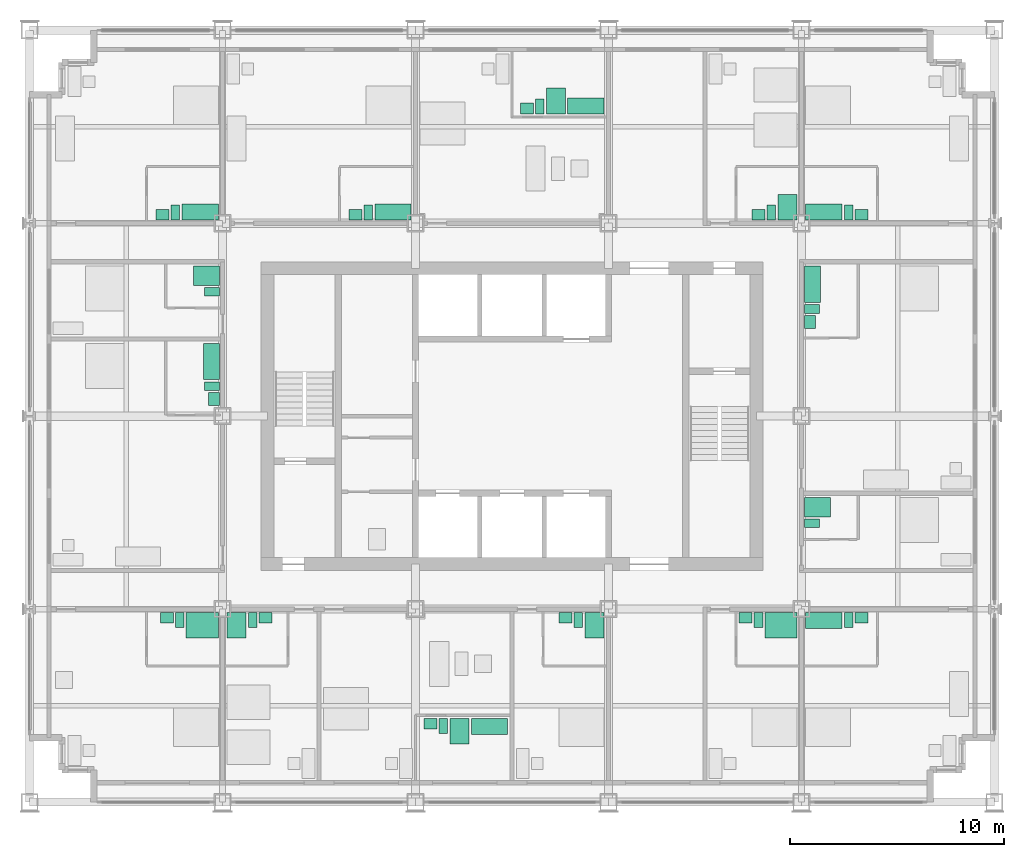
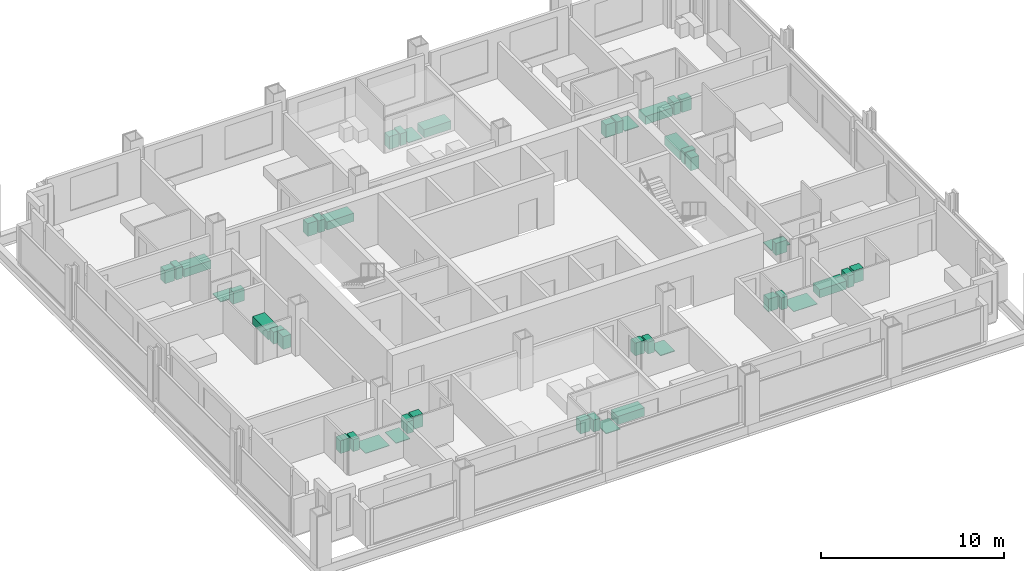
# One storey, part 15 of 16: 45 sanitary terminals.
"""IFC4 building model written with IfcOpenShell, lengths in metres."""

from ifc_helpers import new_model, si_unit, direction, frame, origin, origin_2d, place, context, subcontext, project, spatial, rectangle, extrude, element, save


model = new_model("IFC4")

# Units and contexts
model_context = context("Model", 3, precision=1e-05, world=origin(), true_north=direction((0.0, 1.0)))
body_context = subcontext(model_context, "Body", "Model", "MODEL_VIEW")
ifc_project = project(units=[si_unit("LENGTHUNIT", "METRE"), si_unit("AREAUNIT", "SQUARE_METRE"), si_unit("VOLUMEUNIT", "CUBIC_METRE"), si_unit("PLANEANGLEUNIT", "RADIAN"), si_unit("MASSUNIT", "GRAM", prefix="KILO")], contexts=[model_context])

# Site, building, storey
site_placement = place(None, origin())
site = spatial("IfcSite", under=ifc_project, at=site_placement, CompositionType="ELEMENT")
building_placement = place(site_placement, origin())
building = spatial("IfcBuilding", under=site, at=building_placement, Name="Loomwork Tower", CompositionType="ELEMENT")
storey_placement = place(building_placement, frame((0.0, 0.0, 124.800048828125)))
storey = spatial("IfcBuildingStorey", under=building, at=storey_placement, Name="L33", CompositionType="ELEMENT", Elevation=124.800048828125)

# Sanitary terminals
sanitary_terminal_1_placement = place(storey_placement, frame((8.050048828125, 8.25, 0.0), z_axis=(0.0, 0.0, 1.0), x_axis=(1.0, 0.0, 0.0)))
element("IfcSanitaryTerminal", 1, at=sanitary_terminal_1_placement, inside=storey, Name="Roll-in shower floor L33", PredefinedType="SHOWER", context=body_context, shape_type="SweptSolid", body=[
    extrude(rectangle(XDim=1.5, YDim=1.199951171875, at=origin_2d()), origin(), (0.0, 0.0, 1.0), 0.030029296875),
])
sanitary_terminal_2_placement = place(storey_placement, frame((7.0, 8.5, 0.0), z_axis=(0.0, 0.0, 1.0), x_axis=(1.0, 0.0, 0.0)))
element("IfcSanitaryTerminal", 2, at=sanitary_terminal_2_placement, inside=storey, Name="WC L33", PredefinedType="TOILETPAN", context=body_context, shape_type="SweptSolid", body=[
    extrude(rectangle(XDim=0.39990234375, YDim=0.699951171875, at=origin_2d()), origin(), (0.0, 0.0, 1.0), 0.800048828125),
])
sanitary_terminal_3_placement = place(storey_placement, frame((6.39990234375, 8.60009765625, 0.0), z_axis=(0.0, 0.0, 1.0), x_axis=(1.0, 0.0, 0.0)))
element("IfcSanitaryTerminal", 3, at=sanitary_terminal_3_placement, inside=storey, Name="Basin vanity L33", PredefinedType="WASHHANDBASIN", context=body_context, shape_type="SweptSolid", body=[
    extrude(rectangle(XDim=0.60009765625, YDim=0.5, at=origin_2d()), origin(), (0.0, 0.0, 1.0), 0.85009765625),
])
sanitary_terminal_4_placement = place(storey_placement, frame((9.64990234375, 8.25, 0.0), z_axis=(0.0, 0.0, 1.0), x_axis=(1.0, 0.0, 0.0)))
element("IfcSanitaryTerminal", 4, at=sanitary_terminal_4_placement, inside=storey, Name="Shower tray L33", PredefinedType="SHOWER", context=body_context, shape_type="SweptSolid", body=[
    extrude(rectangle(XDim=0.89990234375, YDim=1.199951171875, at=origin_2d()), origin(), (0.0, 0.0, 1.0), 0.050048828125),
])
sanitary_terminal_5_placement = place(storey_placement, frame((10.39990234375, 8.5, 0.0), z_axis=(0.0, 0.0, 1.0), x_axis=(1.0, 0.0, 0.0)))
element("IfcSanitaryTerminal", 5, at=sanitary_terminal_5_placement, inside=storey, Name="WC L33", PredefinedType="TOILETPAN", context=body_context, shape_type="SweptSolid", body=[
    extrude(rectangle(XDim=0.39990234375, YDim=0.699951171875, at=origin_2d()), origin(), (0.0, 0.0, 1.0), 0.800048828125),
])
sanitary_terminal_6_placement = place(storey_placement, frame((11.0, 8.60009765625, 0.0), z_axis=(0.0, 0.0, 1.0), x_axis=(1.0, 0.0, 0.0)))
element("IfcSanitaryTerminal", 6, at=sanitary_terminal_6_placement, inside=storey, Name="Basin vanity L33", PredefinedType="WASHHANDBASIN", context=body_context, shape_type="SweptSolid", body=[
    extrude(rectangle(XDim=0.60009765625, YDim=0.5, at=origin_2d()), origin(), (0.0, 0.0, 1.0), 0.85009765625),
])
sanitary_terminal_7_placement = place(storey_placement, frame((21.449951171875, 3.52490234375, 0.0), z_axis=(0.0, 0.0, 1.0), x_axis=(1.0, 0.0, 0.0)))
element("IfcSanitaryTerminal", 7, at=sanitary_terminal_7_placement, inside=storey, Name="Bath L33", PredefinedType="BATH", context=body_context, shape_type="SweptSolid", body=[
    extrude(rectangle(XDim=1.699951171875, YDim=0.75, at=origin_2d()), origin(), (0.0, 0.0, 1.0), 0.550048828125),
])
sanitary_terminal_8_placement = place(storey_placement, frame((20.050048828125, 3.300048828125, 0.0), z_axis=(0.0, 0.0, 1.0), x_axis=(1.0, 0.0, 0.0)))
element("IfcSanitaryTerminal", 8, at=sanitary_terminal_8_placement, inside=storey, Name="Shower tray L33", PredefinedType="SHOWER", context=body_context, shape_type="SweptSolid", body=[
    extrude(rectangle(XDim=0.89990234375, YDim=1.199951171875, at=origin_2d()), origin(), (0.0, 0.0, 1.0), 0.050048828125),
])
sanitary_terminal_9_placement = place(storey_placement, frame((19.300048828125, 3.550048828125, 0.0), z_axis=(0.0, 0.0, 1.0), x_axis=(1.0, 0.0, 0.0)))
element("IfcSanitaryTerminal", 9, at=sanitary_terminal_9_placement, inside=storey, Name="WC L33", PredefinedType="TOILETPAN", context=body_context, shape_type="SweptSolid", body=[
    extrude(rectangle(XDim=0.39990234375, YDim=0.699951171875, at=origin_2d()), origin(), (0.0, 0.0, 1.0), 0.800048828125),
])
sanitary_terminal_10_placement = place(storey_placement, frame((18.699951171875, 3.64990234375, 0.0), z_axis=(0.0, 0.0, 1.0), x_axis=(1.0, 0.0, 0.0)))
element("IfcSanitaryTerminal", 10, at=sanitary_terminal_10_placement, inside=storey, Name="Basin vanity L33", PredefinedType="WASHHANDBASIN", context=body_context, shape_type="SweptSolid", body=[
    extrude(rectangle(XDim=0.60009765625, YDim=0.5, at=origin_2d()), origin(), (0.0, 0.0, 1.0), 0.85009765625),
])
sanitary_terminal_11_placement = place(storey_placement, frame((26.35009765625, 8.25, 0.0), z_axis=(0.0, 0.0, 1.0), x_axis=(1.0, 0.0, 0.0)))
element("IfcSanitaryTerminal", 11, at=sanitary_terminal_11_placement, inside=storey, Name="Shower tray L33", PredefinedType="SHOWER", context=body_context, shape_type="SweptSolid", body=[
    extrude(rectangle(XDim=0.89990234375, YDim=1.199951171875, at=origin_2d()), origin(), (0.0, 0.0, 1.0), 0.050048828125),
])
sanitary_terminal_12_placement = place(storey_placement, frame((25.60009765625, 8.5, 0.0), z_axis=(0.0, 0.0, 1.0), x_axis=(1.0, 0.0, 0.0)))
element("IfcSanitaryTerminal", 12, at=sanitary_terminal_12_placement, inside=storey, Name="WC L33", PredefinedType="TOILETPAN", context=body_context, shape_type="SweptSolid", body=[
    extrude(rectangle(XDim=0.39990234375, YDim=0.699951171875, at=origin_2d()), origin(), (0.0, 0.0, 1.0), 0.800048828125),
])
sanitary_terminal_13_placement = place(storey_placement, frame((25.0, 8.60009765625, 0.0), z_axis=(0.0, 0.0, 1.0), x_axis=(1.0, 0.0, 0.0)))
element("IfcSanitaryTerminal", 13, at=sanitary_terminal_13_placement, inside=storey, Name="Basin vanity L33", PredefinedType="WASHHANDBASIN", context=body_context, shape_type="SweptSolid", body=[
    extrude(rectangle(XDim=0.60009765625, YDim=0.5, at=origin_2d()), origin(), (0.0, 0.0, 1.0), 0.85009765625),
])
sanitary_terminal_14_placement = place(storey_placement, frame((35.050048828125, 8.25, 0.0), z_axis=(0.0, 0.0, 1.0), x_axis=(1.0, 0.0, 0.0)))
element("IfcSanitaryTerminal", 14, at=sanitary_terminal_14_placement, inside=storey, Name="Roll-in shower floor L33", PredefinedType="SHOWER", context=body_context, shape_type="SweptSolid", body=[
    extrude(rectangle(XDim=1.5, YDim=1.199951171875, at=origin_2d()), origin(), (0.0, 0.0, 1.0), 0.030029296875),
])
sanitary_terminal_15_placement = place(storey_placement, frame((34.0, 8.5, 0.0), z_axis=(0.0, 0.0, 1.0), x_axis=(1.0, 0.0, 0.0)))
element("IfcSanitaryTerminal", 15, at=sanitary_terminal_15_placement, inside=storey, Name="WC L33", PredefinedType="TOILETPAN", context=body_context, shape_type="SweptSolid", body=[
    extrude(rectangle(XDim=0.39990234375, YDim=0.699951171875, at=origin_2d()), origin(), (0.0, 0.0, 1.0), 0.800048828125),
])
sanitary_terminal_16_placement = place(storey_placement, frame((33.39990234375, 8.60009765625, 0.0), z_axis=(0.0, 0.0, 1.0), x_axis=(1.0, 0.0, 0.0)))
element("IfcSanitaryTerminal", 16, at=sanitary_terminal_16_placement, inside=storey, Name="Basin vanity L33", PredefinedType="WASHHANDBASIN", context=body_context, shape_type="SweptSolid", body=[
    extrude(rectangle(XDim=0.60009765625, YDim=0.5, at=origin_2d()), origin(), (0.0, 0.0, 1.0), 0.85009765625),
])
sanitary_terminal_17_placement = place(storey_placement, frame((37.050048828125, 8.47509765625, 0.0), z_axis=(0.0, 0.0, 1.0), x_axis=(1.0, 0.0, 0.0)))
element("IfcSanitaryTerminal", 17, at=sanitary_terminal_17_placement, inside=storey, Name="Bath L33", PredefinedType="BATH", context=body_context, shape_type="SweptSolid", body=[
    extrude(rectangle(XDim=1.699951171875, YDim=0.75, at=origin_2d()), origin(), (0.0, 0.0, 1.0), 0.550048828125),
])
sanitary_terminal_18_placement = place(storey_placement, frame((38.199951171875, 8.5, 0.0), z_axis=(0.0, 0.0, 1.0), x_axis=(1.0, 0.0, 0.0)))
element("IfcSanitaryTerminal", 18, at=sanitary_terminal_18_placement, inside=storey, Name="WC L33", PredefinedType="TOILETPAN", context=body_context, shape_type="SweptSolid", body=[
    extrude(rectangle(XDim=0.39990234375, YDim=0.699951171875, at=origin_2d()), origin(), (0.0, 0.0, 1.0), 0.800048828125),
])
sanitary_terminal_19_placement = place(storey_placement, frame((38.800048828125, 8.60009765625, 0.0), z_axis=(0.0, 0.0, 1.0), x_axis=(1.0, 0.0, 0.0)))
element("IfcSanitaryTerminal", 19, at=sanitary_terminal_19_placement, inside=storey, Name="Basin vanity L33", PredefinedType="WASHHANDBASIN", context=body_context, shape_type="SweptSolid", body=[
    extrude(rectangle(XDim=0.60009765625, YDim=0.5, at=origin_2d()), origin(), (0.0, 0.0, 1.0), 0.85009765625),
])
sanitary_terminal_20_placement = place(storey_placement, frame((7.949951171875, 27.52490234375, 0.0), z_axis=(0.0, 0.0, 1.0), x_axis=(1.0, 0.0, 0.0)))
element("IfcSanitaryTerminal", 20, at=sanitary_terminal_20_placement, inside=storey, Name="Bath L33", PredefinedType="BATH", context=body_context, shape_type="SweptSolid", body=[
    extrude(rectangle(XDim=1.699951171875, YDim=0.75, at=origin_2d()), origin(), (0.0, 0.0, 1.0), 0.550048828125),
])
sanitary_terminal_21_placement = place(storey_placement, frame((6.800048828125, 27.5, 0.0), z_axis=(0.0, 0.0, 1.0), x_axis=(1.0, 0.0, 0.0)))
element("IfcSanitaryTerminal", 21, at=sanitary_terminal_21_placement, inside=storey, Name="WC L33", PredefinedType="TOILETPAN", context=body_context, shape_type="SweptSolid", body=[
    extrude(rectangle(XDim=0.39990234375, YDim=0.699951171875, at=origin_2d()), origin(), (0.0, 0.0, 1.0), 0.800048828125),
])
sanitary_terminal_22_placement = place(storey_placement, frame((6.199951171875, 27.39990234375, 0.0), z_axis=(0.0, 0.0, 1.0), x_axis=(1.0, 0.0, 0.0)))
element("IfcSanitaryTerminal", 22, at=sanitary_terminal_22_placement, inside=storey, Name="Basin vanity L33", PredefinedType="WASHHANDBASIN", context=body_context, shape_type="SweptSolid", body=[
    extrude(rectangle(XDim=0.60009765625, YDim=0.5, at=origin_2d()), origin(), (0.0, 0.0, 1.0), 0.85009765625),
])
sanitary_terminal_23_placement = place(storey_placement, frame((16.949951171875, 27.52490234375, 0.0), z_axis=(0.0, 0.0, 1.0), x_axis=(1.0, 0.0, 0.0)))
element("IfcSanitaryTerminal", 23, at=sanitary_terminal_23_placement, inside=storey, Name="Bath L33", PredefinedType="BATH", context=body_context, shape_type="SweptSolid", body=[
    extrude(rectangle(XDim=1.699951171875, YDim=0.75, at=origin_2d()), origin(), (0.0, 0.0, 1.0), 0.550048828125),
])
sanitary_terminal_24_placement = place(storey_placement, frame((15.800048828125, 27.5, 0.0), z_axis=(0.0, 0.0, 1.0), x_axis=(1.0, 0.0, 0.0)))
element("IfcSanitaryTerminal", 24, at=sanitary_terminal_24_placement, inside=storey, Name="WC L33", PredefinedType="TOILETPAN", context=body_context, shape_type="SweptSolid", body=[
    extrude(rectangle(XDim=0.39990234375, YDim=0.699951171875, at=origin_2d()), origin(), (0.0, 0.0, 1.0), 0.800048828125),
])
sanitary_terminal_25_placement = place(storey_placement, frame((15.199951171875, 27.39990234375, 0.0), z_axis=(0.0, 0.0, 1.0), x_axis=(1.0, 0.0, 0.0)))
element("IfcSanitaryTerminal", 25, at=sanitary_terminal_25_placement, inside=storey, Name="Basin vanity L33", PredefinedType="WASHHANDBASIN", context=body_context, shape_type="SweptSolid", body=[
    extrude(rectangle(XDim=0.60009765625, YDim=0.5, at=origin_2d()), origin(), (0.0, 0.0, 1.0), 0.85009765625),
])
sanitary_terminal_26_placement = place(storey_placement, frame((25.949951171875, 32.47509765625, 0.0), z_axis=(0.0, 0.0, 1.0), x_axis=(1.0, 0.0, 0.0)))
element("IfcSanitaryTerminal", 26, at=sanitary_terminal_26_placement, inside=storey, Name="Bath L33", PredefinedType="BATH", context=body_context, shape_type="SweptSolid", body=[
    extrude(rectangle(XDim=1.699951171875, YDim=0.75, at=origin_2d()), origin(), (0.0, 0.0, 1.0), 0.550048828125),
])
sanitary_terminal_27_placement = place(storey_placement, frame((24.550048828125, 32.699951171875, 0.0), z_axis=(0.0, 0.0, 1.0), x_axis=(1.0, 0.0, 0.0)))
element("IfcSanitaryTerminal", 27, at=sanitary_terminal_27_placement, inside=storey, Name="Shower tray L33", PredefinedType="SHOWER", context=body_context, shape_type="SweptSolid", body=[
    extrude(rectangle(XDim=0.89990234375, YDim=1.199951171875, at=origin_2d()), origin(), (0.0, 0.0, 1.0), 0.050048828125),
])
sanitary_terminal_28_placement = place(storey_placement, frame((23.800048828125, 32.449951171875, 0.0), z_axis=(0.0, 0.0, 1.0), x_axis=(1.0, 0.0, 0.0)))
element("IfcSanitaryTerminal", 28, at=sanitary_terminal_28_placement, inside=storey, Name="WC L33", PredefinedType="TOILETPAN", context=body_context, shape_type="SweptSolid", body=[
    extrude(rectangle(XDim=0.39990234375, YDim=0.699951171875, at=origin_2d()), origin(), (0.0, 0.0, 1.0), 0.800048828125),
])
sanitary_terminal_29_placement = place(storey_placement, frame((23.199951171875, 32.35009765625, 0.0), z_axis=(0.0, 0.0, 1.0), x_axis=(1.0, 0.0, 0.0)))
element("IfcSanitaryTerminal", 29, at=sanitary_terminal_29_placement, inside=storey, Name="Basin vanity L33", PredefinedType="WASHHANDBASIN", context=body_context, shape_type="SweptSolid", body=[
    extrude(rectangle(XDim=0.60009765625, YDim=0.5, at=origin_2d()), origin(), (0.0, 0.0, 1.0), 0.85009765625),
])
sanitary_terminal_30_placement = place(storey_placement, frame((35.35009765625, 27.75, 0.0), z_axis=(0.0, 0.0, 1.0), x_axis=(1.0, 0.0, 0.0)))
element("IfcSanitaryTerminal", 30, at=sanitary_terminal_30_placement, inside=storey, Name="Shower tray L33", PredefinedType="SHOWER", context=body_context, shape_type="SweptSolid", body=[
    extrude(rectangle(XDim=0.89990234375, YDim=1.199951171875, at=origin_2d()), origin(), (0.0, 0.0, 1.0), 0.050048828125),
])
sanitary_terminal_31_placement = place(storey_placement, frame((34.60009765625, 27.5, 0.0), z_axis=(0.0, 0.0, 1.0), x_axis=(1.0, 0.0, 0.0)))
element("IfcSanitaryTerminal", 31, at=sanitary_terminal_31_placement, inside=storey, Name="WC L33", PredefinedType="TOILETPAN", context=body_context, shape_type="SweptSolid", body=[
    extrude(rectangle(XDim=0.39990234375, YDim=0.699951171875, at=origin_2d()), origin(), (0.0, 0.0, 1.0), 0.800048828125),
])
sanitary_terminal_32_placement = place(storey_placement, frame((34.0, 27.39990234375, 0.0), z_axis=(0.0, 0.0, 1.0), x_axis=(1.0, 0.0, 0.0)))
element("IfcSanitaryTerminal", 32, at=sanitary_terminal_32_placement, inside=storey, Name="Basin vanity L33", PredefinedType="WASHHANDBASIN", context=body_context, shape_type="SweptSolid", body=[
    extrude(rectangle(XDim=0.60009765625, YDim=0.5, at=origin_2d()), origin(), (0.0, 0.0, 1.0), 0.85009765625),
])
sanitary_terminal_33_placement = place(storey_placement, frame((37.050048828125, 27.52490234375, 0.0), z_axis=(0.0, 0.0, 1.0), x_axis=(1.0, 0.0, 0.0)))
element("IfcSanitaryTerminal", 33, at=sanitary_terminal_33_placement, inside=storey, Name="Bath L33", PredefinedType="BATH", context=body_context, shape_type="SweptSolid", body=[
    extrude(rectangle(XDim=1.699951171875, YDim=0.75, at=origin_2d()), origin(), (0.0, 0.0, 1.0), 0.550048828125),
])
sanitary_terminal_34_placement = place(storey_placement, frame((38.199951171875, 27.5, 0.0), z_axis=(0.0, 0.0, 1.0), x_axis=(1.0, 0.0, 0.0)))
element("IfcSanitaryTerminal", 34, at=sanitary_terminal_34_placement, inside=storey, Name="WC L33", PredefinedType="TOILETPAN", context=body_context, shape_type="SweptSolid", body=[
    extrude(rectangle(XDim=0.39990234375, YDim=0.699951171875, at=origin_2d()), origin(), (0.0, 0.0, 1.0), 0.800048828125),
])
sanitary_terminal_35_placement = place(storey_placement, frame((38.800048828125, 27.39990234375, 0.0), z_axis=(0.0, 0.0, 1.0), x_axis=(1.0, 0.0, 0.0)))
element("IfcSanitaryTerminal", 35, at=sanitary_terminal_35_placement, inside=storey, Name="Basin vanity L33", PredefinedType="WASHHANDBASIN", context=body_context, shape_type="SweptSolid", body=[
    extrude(rectangle(XDim=0.60009765625, YDim=0.5, at=origin_2d()), origin(), (0.0, 0.0, 1.0), 0.85009765625),
])
sanitary_terminal_36_placement = place(storey_placement, frame((8.47509765625, 20.550048828125, 0.0), z_axis=(0.0, 0.0, 1.0), x_axis=(1.0, 0.0, 0.0)))
element("IfcSanitaryTerminal", 36, at=sanitary_terminal_36_placement, inside=storey, Name="Bath L33", PredefinedType="BATH", context=body_context, shape_type="SweptSolid", body=[
    extrude(rectangle(XDim=0.75, YDim=1.699951171875, at=origin_2d()), origin(), (0.0, 0.0, 1.0), 0.550048828125),
])
sanitary_terminal_37_placement = place(storey_placement, frame((8.5, 19.39990234375, 0.0), z_axis=(0.0, 0.0, 1.0), x_axis=(1.0, 0.0, 0.0)))
element("IfcSanitaryTerminal", 37, at=sanitary_terminal_37_placement, inside=storey, Name="WC L33", PredefinedType="TOILETPAN", context=body_context, shape_type="SweptSolid", body=[
    extrude(rectangle(XDim=0.699951171875, YDim=0.39990234375, at=origin_2d()), origin(), (0.0, 0.0, 1.0), 0.800048828125),
])
sanitary_terminal_38_placement = place(storey_placement, frame((8.60009765625, 18.800048828125, 0.0), z_axis=(0.0, 0.0, 1.0), x_axis=(1.0, 0.0, 0.0)))
element("IfcSanitaryTerminal", 38, at=sanitary_terminal_38_placement, inside=storey, Name="Basin vanity L33", PredefinedType="WASHHANDBASIN", context=body_context, shape_type="SweptSolid", body=[
    extrude(rectangle(XDim=0.5, YDim=0.60009765625, at=origin_2d()), origin(), (0.0, 0.0, 1.0), 0.85009765625),
])
sanitary_terminal_39_placement = place(storey_placement, frame((8.25, 24.550048828125, 0.0), z_axis=(0.0, 0.0, 1.0), x_axis=(1.0, 0.0, 0.0)))
element("IfcSanitaryTerminal", 39, at=sanitary_terminal_39_placement, inside=storey, Name="Shower tray L33", PredefinedType="SHOWER", context=body_context, shape_type="SweptSolid", body=[
    extrude(rectangle(XDim=1.199951171875, YDim=0.89990234375, at=origin_2d()), origin(), (0.0, 0.0, 1.0), 0.050048828125),
])
sanitary_terminal_40_placement = place(storey_placement, frame((8.5, 23.800048828125, 0.0), z_axis=(0.0, 0.0, 1.0), x_axis=(1.0, 0.0, 0.0)))
element("IfcSanitaryTerminal", 40, at=sanitary_terminal_40_placement, inside=storey, Name="WC L33", PredefinedType="TOILETPAN", context=body_context, shape_type="SweptSolid", body=[
    extrude(rectangle(XDim=0.699951171875, YDim=0.39990234375, at=origin_2d()), origin(), (0.0, 0.0, 1.0), 0.800048828125),
])
sanitary_terminal_41_placement = place(storey_placement, frame((36.75, 13.75, 0.0), z_axis=(0.0, 0.0, 1.0), x_axis=(1.0, 0.0, 0.0)))
element("IfcSanitaryTerminal", 41, at=sanitary_terminal_41_placement, inside=storey, Name="Shower tray L33", PredefinedType="SHOWER", context=body_context, shape_type="SweptSolid", body=[
    extrude(rectangle(XDim=1.199951171875, YDim=0.89990234375, at=origin_2d()), origin(), (0.0, 0.0, 1.0), 0.050048828125),
])
sanitary_terminal_42_placement = place(storey_placement, frame((36.5, 13.0, 0.0), z_axis=(0.0, 0.0, 1.0), x_axis=(1.0, 0.0, 0.0)))
element("IfcSanitaryTerminal", 42, at=sanitary_terminal_42_placement, inside=storey, Name="WC L33", PredefinedType="TOILETPAN", context=body_context, shape_type="SweptSolid", body=[
    extrude(rectangle(XDim=0.699951171875, YDim=0.39990234375, at=origin_2d()), origin(), (0.0, 0.0, 1.0), 0.800048828125),
])
sanitary_terminal_43_placement = place(storey_placement, frame((36.52490234375, 24.14990234375, 0.0), z_axis=(0.0, 0.0, 1.0), x_axis=(1.0, 0.0, 0.0)))
element("IfcSanitaryTerminal", 43, at=sanitary_terminal_43_placement, inside=storey, Name="Bath L33", PredefinedType="BATH", context=body_context, shape_type="SweptSolid", body=[
    extrude(rectangle(XDim=0.75, YDim=1.699951171875, at=origin_2d()), origin(), (0.0, 0.0, 1.0), 0.550048828125),
])
sanitary_terminal_44_placement = place(storey_placement, frame((36.5, 23.0, 0.0), z_axis=(0.0, 0.0, 1.0), x_axis=(1.0, 0.0, 0.0)))
element("IfcSanitaryTerminal", 44, at=sanitary_terminal_44_placement, inside=storey, Name="WC L33", PredefinedType="TOILETPAN", context=body_context, shape_type="SweptSolid", body=[
    extrude(rectangle(XDim=0.699951171875, YDim=0.39990234375, at=origin_2d()), origin(), (0.0, 0.0, 1.0), 0.800048828125),
])
sanitary_terminal_45_placement = place(storey_placement, frame((36.39990234375, 22.39990234375, 0.0), z_axis=(0.0, 0.0, 1.0), x_axis=(1.0, 0.0, 0.0)))
element("IfcSanitaryTerminal", 45, at=sanitary_terminal_45_placement, inside=storey, Name="Basin vanity L33", PredefinedType="WASHHANDBASIN", context=body_context, shape_type="SweptSolid", body=[
    extrude(rectangle(XDim=0.5, YDim=0.60009765625, at=origin_2d()), origin(), (0.0, 0.0, 1.0), 0.85009765625),
])

save(model, "model.ifc")
